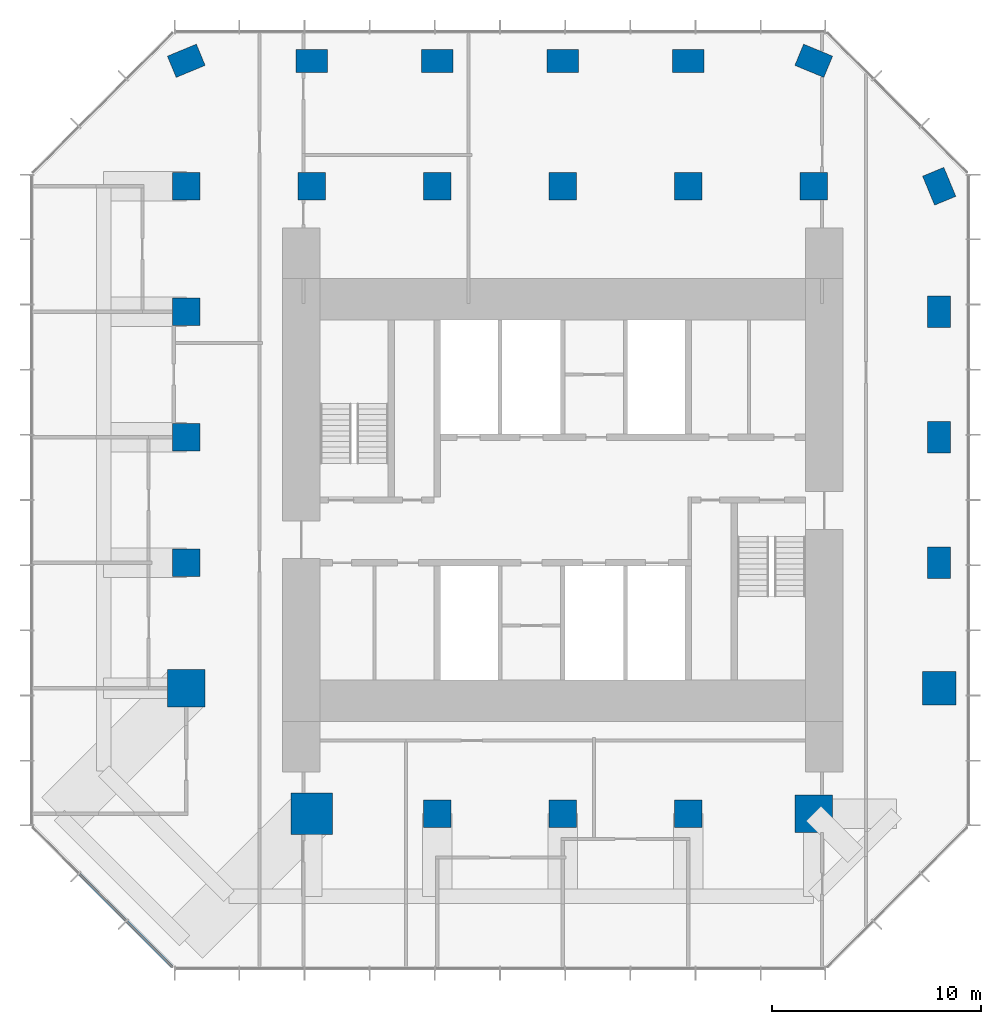
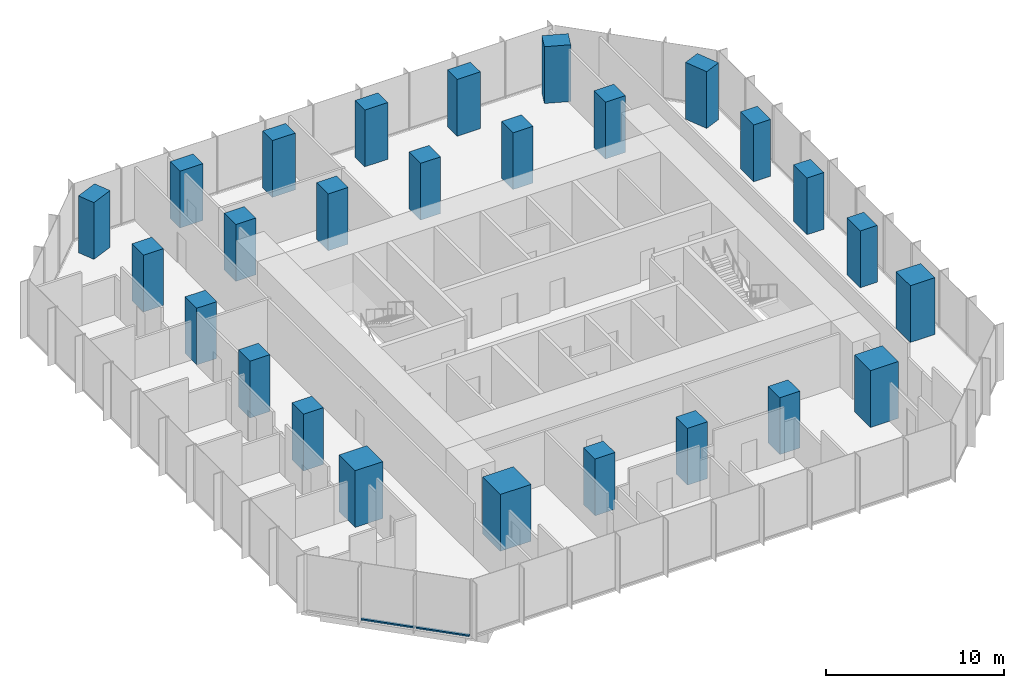
# One storey, part 1 of 11: 26 columns, 2 members, 1 element without a shape of its own.
"""IFC4 building model written with IfcOpenShell, lengths in metres."""

from ifc_helpers import new_model, si_unit, direction, frame, origin, origin_2d, place, context, subcontext, project, spatial, rectangle, extrude, material, layer, layer_set, material_profile, profile_set, type_object, element, aggregate, save


model = new_model("IFC4")

# Units and contexts
model_context = context("Model", 3, precision=1e-05, world=origin(), true_north=direction((0.0, 1.0)))
body_context = subcontext(model_context, "Body", "Model", "MODEL_VIEW")
ifc_project = project(units=[si_unit("LENGTHUNIT", "METRE"), si_unit("AREAUNIT", "SQUARE_METRE"), si_unit("VOLUMEUNIT", "CUBIC_METRE"), si_unit("PLANEANGLEUNIT", "RADIAN"), si_unit("MASSUNIT", "GRAM", prefix="KILO")], contexts=[model_context])

# Site, building, storey
site_placement = place(None, origin())
site = spatial("IfcSite", under=ifc_project, at=site_placement, CompositionType="ELEMENT")
building_placement = place(site_placement, origin())
building = spatial("IfcBuilding", under=site, at=building_placement, Name="Highveld Stack Headquarters", CompositionType="ELEMENT")
storey_placement = place(building_placement, frame((0.0, 0.0, 227.89990234375)))
storey = spatial("IfcBuildingStorey", under=building, at=storey_placement, Name="L56", CompositionType="ELEMENT", Elevation=227.89990234375)

# Columns
ifc_material_1 = material(Name="Concrete C60/75", Category="concrete")
ifc_material_profile_1 = material_profile(ifc_material_1, rectangle(XDim=1.300048828125, YDim=1.300048828125, at=origin_2d()), Name="RC 1300x1300")
ifc_profile_set_1 = profile_set([ifc_material_profile_1], Name="Concrete C60/75")
column_type_1 = type_object("IfcColumnType", Name="COLUMN RC 1300x1300 C60/75", PredefinedType="COLUMN", material=ifc_profile_set_1)
for number, where, z_axis, x_axis, name in (
    (1, (-12.0, 0.0, 0.0), (0.0, 0.0, 1.0), (1.0, 0.0, 0.0), "Column 4/E L56"),
    (2, (-12.0, 6.0, 0.0), (0.0, 0.0, 1.0), (1.0, 0.0, 0.0), "Column 4/F L56"),
    (3, (-12.0, 12.0, 0.0), (0.0, 0.0, 1.0), (1.0, 0.0, 0.0), "Column 4/G L56"),
    (4, (-12.0, 18.0, 0.0), (0.0, 0.0, 1.0), (1.0, 0.0, 0.0), "Column 4/H L56"),
    (5, (-6.0, 18.0, 0.0), (0.0, 0.0, 1.0), (1.0, 0.0, 0.0), "Column 5/H L56"),
    (6, (0.0, -12.0, 0.0), (0.0, 0.0, 1.0), (1.0, 0.0, 0.0), "Column 6/C L56"),
    (7, (0.0, 18.0, 0.0), (0.0, 0.0, 1.0), (1.0, 0.0, 0.0), "Column 6/H L56"),
    (8, (6.0, -12.0, 0.0), (0.0, 0.0, 1.0), (1.0, 0.0, 0.0), "Column 7/C L56"),
    (9, (6.0, 18.0, 0.0), (0.0, 0.0, 1.0), (1.0, 0.0, 0.0), "Column 7/H L56"),
    (10, (12.0, -12.0, 0.0), (0.0, 0.0, 1.0), (1.0, 0.0, 0.0), "Column 8/C L56"),
    (11, (12.0, 18.0, 0.0), (0.0, 0.0, 1.0), (1.0, 0.0, 0.0), "Column 8/H L56"),
    (12, (18.0, 18.0, 0.0), (0.0, 0.0, 1.0), (1.0, 0.0, 0.0), "Column 9/H L56"),
):
    element("IfcColumn", number, at=place(storey_placement, frame(where, z_axis=z_axis, x_axis=x_axis)), inside=storey, type_object=column_type_1, Name=name, PredefinedType="COLUMN", context=body_context, shape_type="SweptSolid", body=[
        extrude(rectangle(XDim=1.300048828125, YDim=1.300048828125, at=origin_2d()), origin(), (0.0, 0.0, 1.0), 3.900146484375),
    ])
ifc_material_2 = material(Name="Concrete C60/75", Category="concrete")
ifc_material_profile_2 = material_profile(ifc_material_2, rectangle(XDim=1.5, YDim=1.10009765625, at=origin_2d()), Name="RC 1500x1100")
ifc_profile_set_2 = profile_set([ifc_material_profile_2], Name="Concrete C60/75")
column_type_2 = type_object("IfcColumnType", Name="COLUMN RC 1500x1100 C60/75", PredefinedType="COLUMN", material=ifc_profile_set_2)
for number, where, z_axis, x_axis, name in (
    (13, (-12.0, 24.0, 0.0), (0.0, 0.0, 1.0), (0.923879532511, 0.382683432365, 0.0), "Column 4/J L56"),
    (14, (-6.0, 24.0, 0.0), (0.0, 0.0, 1.0), (1.0, 0.0, 0.0), "Column 5/J L56"),
    (15, (0.0, 24.0, 0.0), (0.0, 0.0, 1.0), (1.0, 0.0, 0.0), "Column 6/J L56"),
    (16, (6.0, 24.0, 0.0), (0.0, 0.0, 1.0), (1.0, 0.0, 0.0), "Column 7/J L56"),
    (17, (12.0, 24.0, 0.0), (0.0, 0.0, 1.0), (1.0, 0.0, 0.0), "Column 8/J L56"),
    (18, (18.0, 24.0, 0.0), (0.0, 0.0, 1.0), (0.923879532511, -0.382683432365, 0.0), "Column 9/J L56"),
    (19, (24.0, 0.0, 0.0), (0.0, 0.0, 1.0), (0.0, 1.0, 0.0), "Column 10/E L56"),
    (20, (24.0, 6.0, 0.0), (0.0, 0.0, 1.0), (0.0, 1.0, 0.0), "Column 10/F L56"),
    (21, (24.0, 12.0, 0.0), (0.0, 0.0, 1.0), (0.0, 1.0, 0.0), "Column 10/G L56"),
    (22, (24.0, 18.0, 0.0), (0.0, 0.0, 1.0), (0.382683432365, -0.923879532511, 0.0), "Column 10/H L56"),
):
    element("IfcColumn", number, at=place(storey_placement, frame(where, z_axis=z_axis, x_axis=x_axis)), inside=storey, type_object=column_type_2, Name=name, PredefinedType="COLUMN", context=body_context, shape_type="SweptSolid", body=[
        extrude(rectangle(XDim=1.5, YDim=1.10009765625, at=origin_2d()), origin(), (0.0, 0.0, 1.0), 3.900146484375),
    ])
ifc_material_3 = material(Name="Concrete C60/75", Category="concrete")
ifc_material_profile_3 = material_profile(ifc_material_3, rectangle(XDim=1.60009765625, YDim=1.60009765625, at=origin_2d()), Name="RC 1600x1600")
ifc_profile_set_3 = profile_set([ifc_material_profile_3], Name="Concrete C60/75")
column_type_3 = type_object("IfcColumnType", Name="COLUMN RC 1600x1600 C60/75", PredefinedType="COLUMN", material=ifc_profile_set_3)
column_1_placement = place(storey_placement, frame((24.0, -6.0, 0.0), z_axis=(0.0, 0.0, 1.0), x_axis=(1.0, 0.0, 0.0)))
element("IfcColumn", 23, at=column_1_placement, inside=storey, type_object=column_type_3, Name="Column 10/D L56", PredefinedType="COLUMN", context=body_context, shape_type="SweptSolid", body=[
    extrude(rectangle(XDim=1.60009765625, YDim=1.60009765625, at=origin_2d()), origin(), (0.0, 0.0, 1.0), 3.900146484375),
])
ifc_material_4 = material(Name="Concrete C60/75", Category="concrete")
ifc_material_profile_4 = material_profile(ifc_material_4, rectangle(XDim=1.800048828125, YDim=1.800048828125, at=origin_2d()), Name="RC 1800x1800")
ifc_profile_set_4 = profile_set([ifc_material_profile_4], Name="Concrete C60/75")
column_type_4 = type_object("IfcColumnType", Name="COLUMN RC 1800x1800 C60/75", PredefinedType="COLUMN", material=ifc_profile_set_4)
for number, where, z_axis, x_axis, name in (
    (24, (-12.0, -6.0, 0.0), (0.0, 0.0, 1.0), (1.0, 0.0, 0.0), "Column 4/D L56"),
    (25, (18.0, -12.0, 0.0), (0.0, 0.0, 1.0), (1.0, 0.0, 0.0), "Column 9/C L56"),
):
    element("IfcColumn", number, at=place(storey_placement, frame(where, z_axis=z_axis, x_axis=x_axis)), inside=storey, type_object=column_type_4, Name=name, PredefinedType="COLUMN", context=body_context, shape_type="SweptSolid", body=[
        extrude(rectangle(XDim=1.800048828125, YDim=1.800048828125, at=origin_2d()), origin(), (0.0, 0.0, 1.0), 3.900146484375),
    ])
ifc_material_5 = material(Name="Concrete C60/75", Category="concrete")
ifc_material_profile_5 = material_profile(ifc_material_5, rectangle(XDim=2.0, YDim=2.0, at=origin_2d()), Name="RC 2000x2000")
ifc_profile_set_5 = profile_set([ifc_material_profile_5], Name="Concrete C60/75")
column_type_5 = type_object("IfcColumnType", Name="COLUMN RC 2000x2000 C60/75", PredefinedType="COLUMN", material=ifc_profile_set_5)
column_2_placement = place(storey_placement, frame((-6.0, -12.0, 0.0), z_axis=(0.0, 0.0, 1.0), x_axis=(1.0, 0.0, 0.0)))
element("IfcColumn", 26, at=column_2_placement, inside=storey, type_object=column_type_5, Name="Column 5/C L56", PredefinedType="COLUMN", context=body_context, shape_type="SweptSolid", body=[
    extrude(rectangle(XDim=2.0, YDim=2.0, at=origin_2d()), origin(), (0.0, 0.0, 1.0), 3.900146484375),
])

# Curtain wall, members
ifc_material_6 = material(Name="Aluminium bronze anodised", Category="aluminium")
ifc_layer = layer(ifc_material_6, 0.199951171875)
ifc_layer_set = layer_set([ifc_layer], Name="Aluminium bronze anodised")
curtain_wall_type = type_object("IfcCurtainWallType", Name="CW2 TOWER CHAMFER UNITISED CURTAIN WALL", PredefinedType="NOTDEFINED", material=ifc_layer_set)
curtain_wall_placement = place(storey_placement, origin())
curtain_wall = element("IfcCurtainWall", 27, at=curtain_wall_placement, inside=storey, type_object=curtain_wall_type, Name="Curtain wall CW2 L56 SW", PredefinedType="NOTDEFINED")
ifc_material_7 = material(Name="Aluminium bronze anodised", Category="aluminium")
ifc_material_profile_6 = material_profile(ifc_material_7, rectangle(XDim=0.14990234375, YDim=0.10009765625, at=origin_2d()), Name="CW2 TRANSOM 150x100")
ifc_profile_set_6 = profile_set([ifc_material_profile_6], Name="Aluminium bronze anodised")
member_type = type_object("IfcMemberType", Name="CW2 STACK TRANSOM 150x100", PredefinedType="USERDEFINED", material=ifc_profile_set_6)
member_1_placement = place(storey_placement, frame((-17.103759765625, -14.876220703125, 0.050048828125), z_axis=(0.707106781187, -0.707106781187, 0.0), x_axis=(0.707106781187, 0.707106781187, 0.0)))
member_1 = element("IfcMember", 28, at=member_1_placement, type_object=member_type, Name="CW2 transom L56 2.1", ObjectType="TRANSOM", PredefinedType="USERDEFINED", context=body_context, shape_type="SweptSolid", body=[
    extrude(rectangle(XDim=0.14990234375, YDim=0.10009765625, at=origin_2d()), origin(), (0.0, 0.0, 1.0), 3.150146484375),
])
member_2_placement = place(storey_placement, frame((-14.830322265625, -17.149658203125, 0.050048828125), z_axis=(0.707106781187, -0.707106781187, 0.0), x_axis=(0.707106781187, 0.707106781187, 0.0)))
member_2 = element("IfcMember", 29, at=member_2_placement, type_object=member_type, Name="CW2 transom L56 3.1", ObjectType="TRANSOM", PredefinedType="USERDEFINED", context=body_context, shape_type="SweptSolid", body=[
    extrude(rectangle(XDim=0.14990234375, YDim=0.10009765625, at=origin_2d()), origin(), (0.0, 0.0, 1.0), 3.08251953125),
])
aggregate(curtain_wall, [member_1, member_2])

save(model, "model.ifc")
